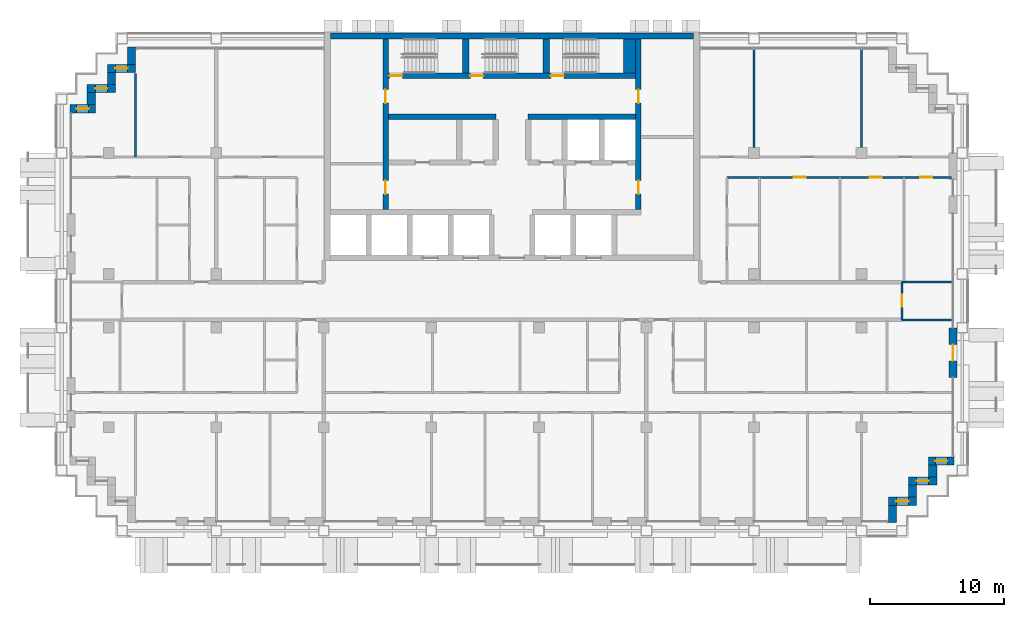
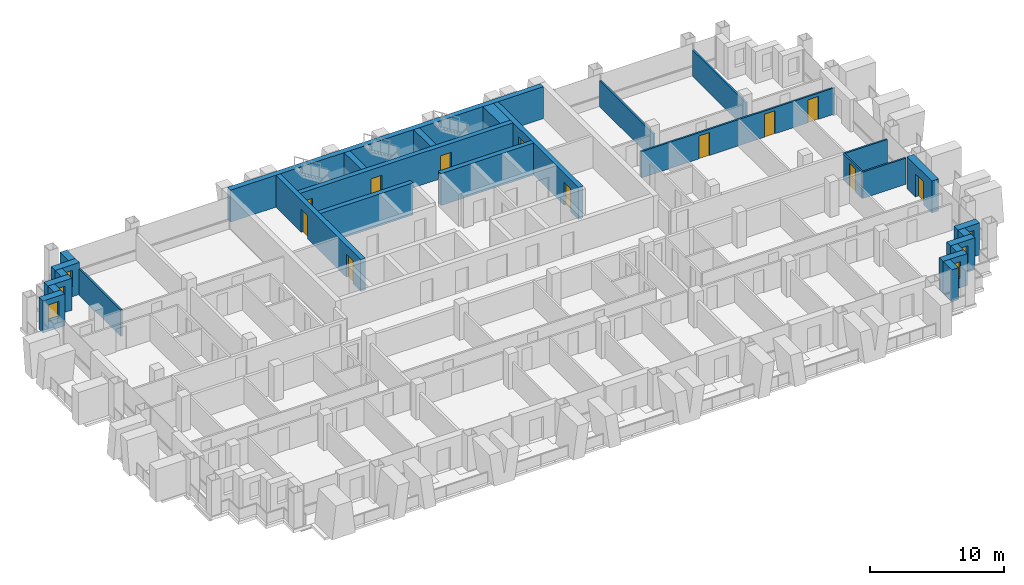
# One storey, part 11 of 17: 29 walls, 12 doors, 6 windows, 18 openings.
"""IFC4 building model written with IfcOpenShell, lengths in metres."""

from ifc_helpers import new_model, si_unit, direction, frame, frame_2d, origin, place, context, subcontext, project, spatial, rectangle, extrude, material, layer, layer_set, type_object, element, fill, save


model = new_model("IFC4")

# Units and contexts
model_context = context("Model", 3, precision=1e-05, world=origin(), true_north=direction((0.0, 1.0)))
body_context = subcontext(model_context, "Body", "Model", "MODEL_VIEW")
ifc_project = project(units=[si_unit("LENGTHUNIT", "METRE"), si_unit("AREAUNIT", "SQUARE_METRE"), si_unit("VOLUMEUNIT", "CUBIC_METRE"), si_unit("PLANEANGLEUNIT", "RADIAN"), si_unit("MASSUNIT", "GRAM", prefix="KILO")], contexts=[model_context])

# Site, building, storey
site_placement = place(None, origin())
site = spatial("IfcSite", under=ifc_project, at=site_placement, CompositionType="ELEMENT")
building_placement = place(site_placement, origin())
building = spatial("IfcBuilding", under=site, at=building_placement, Name="Vidyagriha Tower", CompositionType="ELEMENT")
storey_placement = place(building_placement, frame((0.0, 0.0, 139.0)))
storey = spatial("IfcBuildingStorey", under=building, at=storey_placement, Name="L36", CompositionType="ELEMENT", Elevation=139.0)

# Wall
ifc_material_1 = material(Name="Precast concrete C40/50 with brick facing", Category="concrete")
ifc_layer_1 = layer(ifc_material_1, 0.60009765625)
ifc_layer_set_1 = layer_set([ifc_layer_1], Name="Precast concrete C40/50 with brick facing")
wall_type_1 = type_object("IfcWallType", Name="Brick-faced precast wall 600", PredefinedType="STANDARD", material=ifc_layer_set_1)
wall_1_placement = place(storey_placement, frame((-28.300048828125, 18.8798828125, 0.0), z_axis=(0.0, 0.0, 1.0), x_axis=(0.0, -1.0, 0.0)))
element("IfcWall", 1, at=wall_1_placement, inside=storey, type_object=wall_type_1, Name="Stepped corner wall L36 R10", PredefinedType="STANDARD", context=body_context, shape_type="SweptSolid", body=[
    extrude(rectangle(XDim=1.27978515625, YDim=0.60009765625, at=frame_2d((0.639892578125, 0.0))), origin(), (0.0, 0.0, 1.0), 2.919921875),
])

# Wall, opening, window
wall_2_placement = place(storey_placement, frame((-28.0, 17.300048828125, 0.0), z_axis=(0.0, 0.0, 1.0), x_axis=(-1.0, 0.0, 0.0)))
wall_2 = element("IfcWall", 2, at=wall_2_placement, inside=storey, type_object=wall_type_1, Name="Stepped corner wall L36 R11", PredefinedType="STANDARD", context=body_context, shape_type="SweptSolid", body=[
    extrude(rectangle(XDim=2.10009765625, YDim=0.60009765625, at=frame_2d((1.050048828125, 0.0))), origin(), (0.0, 0.0, 1.0), 2.919921875),
])
opening_1_placement = place(wall_2_placement, frame((0.60009765625, 0.0, 0.89990234375)))
opening_1 = element("IfcOpeningElement", 3, at=opening_1_placement, cuts=wall_2, Name="Opening WN1", PredefinedType="OPENING", context=body_context, shape_type="SweptSolid", body=[
    extrude(rectangle(XDim=0.89990234375, YDim=1.5, at=frame_2d((0.449951171875, 0.75))), frame((0.0, 0.31005859375, 0.0), z_axis=(0.0, -1.0, 0.0), x_axis=(1.0, 0.0, 0.0)), (0.0, 0.0, 1.0), 0.6201171875),
])
ifc_material_2 = material(Name="Aluminium and glass window", Category="aluminium")
window_type = type_object("IfcWindowType", Name="Reveal window 900x1500", PartitioningType="NOTDEFINED", PredefinedType="WINDOW", material=ifc_material_2)
window_1_placement = place(opening_1_placement, origin())
window_1 = element("IfcWindow", 4, at=window_1_placement, inside=storey, type_object=window_type, Name="Reveal window L36 R11", OverallHeight=1.5, OverallWidth=0.89990234375, PartitioningType="SINGLE_PANEL", PredefinedType="WINDOW", context=body_context, shape_type="SweptSolid", body=[
    extrude(rectangle(XDim=0.89990234375, YDim=1.5, at=frame_2d((0.449951171875, 0.75))), frame((0.0, 0.030029296875, 0.0), z_axis=(0.0, -1.0, 0.0), x_axis=(1.0, 0.0, 0.0)), (0.0, 0.0, 1.0), 0.06005859375),
])
fill(opening_1, window_1)

# Wall
wall_3_placement = place(storey_placement, frame((-29.800048828125, 17.0, 0.0), z_axis=(0.0, 0.0, 1.0), x_axis=(0.0, -1.0, 0.0)))
element("IfcWall", 5, at=wall_3_placement, inside=storey, type_object=wall_type_1, Name="Stepped corner wall L36 R12", PredefinedType="STANDARD", context=body_context, shape_type="SweptSolid", body=[
    extrude(rectangle(XDim=0.89990234375, YDim=0.60009765625, at=frame_2d((0.449951171875, 0.0))), origin(), (0.0, 0.0, 1.0), 2.919921875),
])

# Wall, opening, window
wall_4_placement = place(storey_placement, frame((-29.5, 15.800048828125, 0.0), z_axis=(0.0, 0.0, 1.0), x_axis=(-1.0, 0.0, 0.0)))
wall_4 = element("IfcWall", 6, at=wall_4_placement, inside=storey, type_object=wall_type_1, Name="Stepped corner wall L36 R13", PredefinedType="STANDARD", context=body_context, shape_type="SweptSolid", body=[
    extrude(rectangle(XDim=2.10009765625, YDim=0.60009765625, at=frame_2d((1.050048828125, 0.0))), origin(), (0.0, 0.0, 1.0), 2.919921875),
])
opening_2_placement = place(wall_4_placement, frame((0.60009765625, 0.0, 0.89990234375)))
opening_2 = element("IfcOpeningElement", 7, at=opening_2_placement, cuts=wall_4, Name="Opening WN1", PredefinedType="OPENING", context=body_context, shape_type="SweptSolid", body=[
    extrude(rectangle(XDim=0.89990234375, YDim=1.5, at=frame_2d((0.449951171875, 0.75))), frame((0.0, 0.31005859375, 0.0), z_axis=(0.0, -1.0, 0.0), x_axis=(1.0, 0.0, 0.0)), (0.0, 0.0, 1.0), 0.6201171875),
])
window_2_placement = place(opening_2_placement, origin())
window_2 = element("IfcWindow", 8, at=window_2_placement, inside=storey, type_object=window_type, Name="Reveal window L36 R13", OverallHeight=1.5, OverallWidth=0.89990234375, PartitioningType="SINGLE_PANEL", PredefinedType="WINDOW", context=body_context, shape_type="SweptSolid", body=[
    extrude(rectangle(XDim=0.89990234375, YDim=1.5, at=frame_2d((0.449951171875, 0.75))), frame((0.0, 0.030029296875, 0.0), z_axis=(0.0, -1.0, 0.0), x_axis=(1.0, 0.0, 0.0)), (0.0, 0.0, 1.0), 0.06005859375),
])
fill(opening_2, window_2)

# Wall
wall_5_placement = place(storey_placement, frame((-31.300048828125, 15.5, 0.0), z_axis=(0.0, 0.0, 1.0), x_axis=(0.0, -1.0, 0.0)))
element("IfcWall", 9, at=wall_5_placement, inside=storey, type_object=wall_type_1, Name="Stepped corner wall L36 R14", PredefinedType="STANDARD", context=body_context, shape_type="SweptSolid", body=[
    extrude(rectangle(XDim=0.89990234375, YDim=0.60009765625, at=frame_2d((0.449951171875, 0.0))), origin(), (0.0, 0.0, 1.0), 2.919921875),
])

# Wall, opening, window
wall_6_placement = place(storey_placement, frame((-31.0, 14.300048828125, 0.0), z_axis=(0.0, 0.0, 1.0), x_axis=(-1.0, 0.0, 0.0)))
wall_6 = element("IfcWall", 10, at=wall_6_placement, inside=storey, type_object=wall_type_1, Name="Stepped corner wall L36 R15", PredefinedType="STANDARD", context=body_context, shape_type="SweptSolid", body=[
    extrude(rectangle(XDim=1.8798828125, YDim=0.60009765625, at=frame_2d((0.93994140625, 0.0))), origin(), (0.0, 0.0, 1.0), 2.919921875),
])
opening_3_placement = place(wall_6_placement, frame((0.489990234375, 0.0, 0.89990234375)))
opening_3 = element("IfcOpeningElement", 11, at=opening_3_placement, cuts=wall_6, Name="Opening WN1", PredefinedType="OPENING", context=body_context, shape_type="SweptSolid", body=[
    extrude(rectangle(XDim=0.89990234375, YDim=1.5, at=frame_2d((0.449951171875, 0.75))), frame((0.0, 0.31005859375, 0.0), z_axis=(0.0, -1.0, 0.0), x_axis=(1.0, 0.0, 0.0)), (0.0, 0.0, 1.0), 0.6201171875),
])
window_3_placement = place(opening_3_placement, origin())
window_3 = element("IfcWindow", 12, at=window_3_placement, inside=storey, type_object=window_type, Name="Reveal window L36 R15", OverallHeight=1.5, OverallWidth=0.89990234375, PartitioningType="SINGLE_PANEL", PredefinedType="WINDOW", context=body_context, shape_type="SweptSolid", body=[
    extrude(rectangle(XDim=0.89990234375, YDim=1.5, at=frame_2d((0.449951171875, 0.75))), frame((0.0, 0.030029296875, 0.0), z_axis=(0.0, -1.0, 0.0), x_axis=(1.0, 0.0, 0.0)), (0.0, 0.0, 1.0), 0.06005859375),
])
fill(opening_3, window_3)

# Wall
wall_7_placement = place(storey_placement, frame((28.300048828125, -16.47998046875, 0.0), z_axis=(0.0, 0.0, 1.0), x_axis=(0.0, 1.0, 0.0)))
element("IfcWall", 13, at=wall_7_placement, inside=storey, type_object=wall_type_1, Name="Stepped corner wall L36 R24", PredefinedType="STANDARD", context=body_context, shape_type="SweptSolid", body=[
    extrude(rectangle(XDim=1.280029296875, YDim=0.60009765625, at=frame_2d((0.64013671875, 0.0))), origin(), (0.0, 0.0, 1.0), 2.919921875),
])

# Wall, opening, window
wall_8_placement = place(storey_placement, frame((28.0, -14.89990234375, 0.0)))
wall_8 = element("IfcWall", 14, at=wall_8_placement, inside=storey, type_object=wall_type_1, Name="Stepped corner wall L36 R25", PredefinedType="STANDARD", context=body_context, shape_type="SweptSolid", body=[
    extrude(rectangle(XDim=2.10009765625, YDim=0.60009765625, at=frame_2d((1.050048828125, 0.0))), origin(), (0.0, 0.0, 1.0), 2.919921875),
])
opening_4_placement = place(wall_8_placement, frame((0.60009765625, 0.0, 0.89990234375)))
opening_4 = element("IfcOpeningElement", 15, at=opening_4_placement, cuts=wall_8, Name="Opening WN1", PredefinedType="OPENING", context=body_context, shape_type="SweptSolid", body=[
    extrude(rectangle(XDim=0.89990234375, YDim=1.5, at=frame_2d((0.449951171875, 0.75))), frame((0.0, 0.31005859375, 0.0), z_axis=(0.0, -1.0, 0.0), x_axis=(1.0, 0.0, 0.0)), (0.0, 0.0, 1.0), 0.6201171875),
])
window_4_placement = place(opening_4_placement, origin())
window_4 = element("IfcWindow", 16, at=window_4_placement, inside=storey, type_object=window_type, Name="Reveal window L36 R25", OverallHeight=1.5, OverallWidth=0.89990234375, PartitioningType="SINGLE_PANEL", PredefinedType="WINDOW", context=body_context, shape_type="SweptSolid", body=[
    extrude(rectangle(XDim=0.89990234375, YDim=1.5, at=frame_2d((0.449951171875, 0.75))), frame((0.0, 0.030029296875, 0.0), z_axis=(0.0, -1.0, 0.0), x_axis=(1.0, 0.0, 0.0)), (0.0, 0.0, 1.0), 0.06005859375),
])
fill(opening_4, window_4)

# Wall
wall_9_placement = place(storey_placement, frame((29.800048828125, -14.60009765625, 0.0), z_axis=(0.0, 0.0, 1.0), x_axis=(0.0, 1.0, 0.0)))
element("IfcWall", 17, at=wall_9_placement, inside=storey, type_object=wall_type_1, Name="Stepped corner wall L36 R26", PredefinedType="STANDARD", context=body_context, shape_type="SweptSolid", body=[
    extrude(rectangle(XDim=0.900146484375, YDim=0.60009765625, at=frame_2d((0.4501953125, 0.0))), origin(), (0.0, 0.0, 1.0), 2.919921875),
])

# Wall, opening, window
wall_10_placement = place(storey_placement, frame((29.5, -13.39990234375, 0.0)))
wall_10 = element("IfcWall", 18, at=wall_10_placement, inside=storey, type_object=wall_type_1, Name="Stepped corner wall L36 R27", PredefinedType="STANDARD", context=body_context, shape_type="SweptSolid", body=[
    extrude(rectangle(XDim=2.10009765625, YDim=0.60009765625, at=frame_2d((1.050048828125, 0.0))), origin(), (0.0, 0.0, 1.0), 2.919921875),
])
opening_5_placement = place(wall_10_placement, frame((0.60009765625, 0.0, 0.89990234375)))
opening_5 = element("IfcOpeningElement", 19, at=opening_5_placement, cuts=wall_10, Name="Opening WN1", PredefinedType="OPENING", context=body_context, shape_type="SweptSolid", body=[
    extrude(rectangle(XDim=0.89990234375, YDim=1.5, at=frame_2d((0.449951171875, 0.75))), frame((0.0, 0.31005859375, 0.0), z_axis=(0.0, -1.0, 0.0), x_axis=(1.0, 0.0, 0.0)), (0.0, 0.0, 1.0), 0.6201171875),
])
window_5_placement = place(opening_5_placement, origin())
window_5 = element("IfcWindow", 20, at=window_5_placement, inside=storey, type_object=window_type, Name="Reveal window L36 R27", OverallHeight=1.5, OverallWidth=0.89990234375, PartitioningType="SINGLE_PANEL", PredefinedType="WINDOW", context=body_context, shape_type="SweptSolid", body=[
    extrude(rectangle(XDim=0.89990234375, YDim=1.5, at=frame_2d((0.449951171875, 0.75))), frame((0.0, 0.030029296875, 0.0), z_axis=(0.0, -1.0, 0.0), x_axis=(1.0, 0.0, 0.0)), (0.0, 0.0, 1.0), 0.06005859375),
])
fill(opening_5, window_5)

# Wall
wall_11_placement = place(storey_placement, frame((31.300048828125, -13.10009765625, 0.0), z_axis=(0.0, 0.0, 1.0), x_axis=(0.0, 1.0, 0.0)))
element("IfcWall", 21, at=wall_11_placement, inside=storey, type_object=wall_type_1, Name="Stepped corner wall L36 R28", PredefinedType="STANDARD", context=body_context, shape_type="SweptSolid", body=[
    extrude(rectangle(XDim=0.900146484375, YDim=0.60009765625, at=frame_2d((0.4501953125, 0.0))), origin(), (0.0, 0.0, 1.0), 2.919921875),
])

# Wall, opening, window
wall_12_placement = place(storey_placement, frame((31.0, -11.89990234375, 0.0)))
wall_12 = element("IfcWall", 22, at=wall_12_placement, inside=storey, type_object=wall_type_1, Name="Stepped corner wall L36 R29", PredefinedType="STANDARD", context=body_context, shape_type="SweptSolid", body=[
    extrude(rectangle(XDim=1.8798828125, YDim=0.60009765625, at=frame_2d((0.93994140625, 0.0))), origin(), (0.0, 0.0, 1.0), 2.919921875),
])
opening_6_placement = place(wall_12_placement, frame((0.489990234375, 0.0, 0.89990234375)))
opening_6 = element("IfcOpeningElement", 23, at=opening_6_placement, cuts=wall_12, Name="Opening WN1", PredefinedType="OPENING", context=body_context, shape_type="SweptSolid", body=[
    extrude(rectangle(XDim=0.89990234375, YDim=1.5, at=frame_2d((0.449951171875, 0.75))), frame((0.0, 0.31005859375, 0.0), z_axis=(0.0, -1.0, 0.0), x_axis=(1.0, 0.0, 0.0)), (0.0, 0.0, 1.0), 0.6201171875),
])
window_6_placement = place(opening_6_placement, origin())
window_6 = element("IfcWindow", 24, at=window_6_placement, inside=storey, type_object=window_type, Name="Reveal window L36 R29", OverallHeight=1.5, OverallWidth=0.89990234375, PartitioningType="SINGLE_PANEL", PredefinedType="WINDOW", context=body_context, shape_type="SweptSolid", body=[
    extrude(rectangle(XDim=0.89990234375, YDim=1.5, at=frame_2d((0.449951171875, 0.75))), frame((0.0, 0.030029296875, 0.0), z_axis=(0.0, -1.0, 0.0), x_axis=(1.0, 0.0, 0.0)), (0.0, 0.0, 1.0), 0.06005859375),
])
fill(opening_6, window_6)

# Wall, opening, door
wall_13_placement = place(storey_placement, frame((32.800048828125, -5.699951171875, 0.0), z_axis=(0.0, 0.0, 1.0), x_axis=(0.0, 1.0, 0.0)))
wall_13 = element("IfcWall", 25, at=wall_13_placement, inside=storey, type_object=wall_type_1, Name="Brick door bay wall L36 R30.3", PredefinedType="STANDARD", context=body_context, shape_type="SweptSolid", body=[
    extrude(rectangle(XDim=3.699951171875, YDim=0.60009765625, at=frame_2d((1.85009765625, 0.0))), origin(), (0.0, 0.0, 1.0), 2.919921875),
])
opening_7_placement = place(wall_13_placement, frame((1.25, 0.0, 0.0)))
opening_7 = element("IfcOpeningElement", 26, at=opening_7_placement, cuts=wall_13, Name="Opening D36-76", PredefinedType="OPENING", context=body_context, shape_type="SweptSolid", body=[
    extrude(rectangle(XDim=1.199951171875, YDim=2.10009765625, at=frame_2d((0.60009765625, 1.050048828125))), frame((0.0, 0.31005859375, 0.0), z_axis=(0.0, -1.0, 0.0), x_axis=(1.0, 0.0, 0.0)), (0.0, 0.0, 1.0), 0.6201171875),
])
ifc_material_3 = material(Name="Aluminium framed glazed sliding door", Category="aluminium")
door_type_1 = type_object("IfcDoorType", Name="Balcony sliding door 1200x2100", OperationType="NOTDEFINED", PredefinedType="DOOR", material=ifc_material_3)
door_1_placement = place(opening_7_placement, origin())
door_1 = element("IfcDoor", 27, at=door_1_placement, inside=storey, type_object=door_type_1, Name="Door D36-76", OperationType="SLIDING_TO_LEFT", OverallHeight=2.10009765625, OverallWidth=1.199951171875, PredefinedType="DOOR", context=body_context, shape_type="SweptSolid", body=[
    extrude(rectangle(XDim=1.199951171875, YDim=2.10009765625, at=frame_2d((0.60009765625, 1.050048828125))), frame((0.0, 0.02490234375, 0.0), z_axis=(0.0, -1.0, 0.0), x_axis=(1.0, 0.0, 0.0)), (0.0, 0.0, 1.0), 0.050048828125),
])
fill(opening_7, door_1)

# Wall, openings, doors
ifc_material_4 = material(Name="Concrete C60/75", Category="concrete")
ifc_layer_2 = layer(ifc_material_4, 0.39990234375)
ifc_layer_set_2 = layer_set([ifc_layer_2], Name="Concrete C60/75")
wall_type_2 = type_object("IfcWallType", Name="Core shear wall 400 mm", PredefinedType="SHEAR", material=ifc_layer_set_2)
wall_14_placement = place(storey_placement, frame((-9.39990234375, 6.800048828125, 0.0), z_axis=(0.0, 0.0, 1.0), x_axis=(0.0, 1.0, 0.0)))
wall_14 = element("IfcWall", 28, at=wall_14_placement, inside=storey, type_object=wall_type_2, Name="Core west spine wall", PredefinedType="SHEAR", context=body_context, shape_type="SweptSolid", body=[
    extrude(rectangle(XDim=12.699951171875, YDim=0.39990234375, at=frame_2d((6.35009765625, 0.0))), origin(), (0.0, 0.0, 1.0), 2.919921875),
])
opening_8_placement = place(wall_14_placement, frame((1.14990234375, 0.0, 0.0)))
opening_8 = element("IfcOpeningElement", 29, at=opening_8_placement, cuts=wall_14, Name="Opening D36-09", PredefinedType="OPENING", context=body_context, shape_type="SweptSolid", body=[
    extrude(rectangle(XDim=1.0, YDim=2.10009765625, at=frame_2d((0.5, 1.050048828125))), frame((0.0, 0.2099609375, 0.0), z_axis=(0.0, -1.0, 0.0), x_axis=(1.0, 0.0, 0.0)), (0.0, 0.0, 1.0), 0.419921875),
])
opening_9_placement = place(wall_14_placement, frame((7.925048828125, 0.0, 0.0)))
opening_9 = element("IfcOpeningElement", 30, at=opening_9_placement, cuts=wall_14, Name="Opening D36-10", PredefinedType="OPENING", context=body_context, shape_type="SweptSolid", body=[
    extrude(rectangle(XDim=1.0, YDim=2.10009765625, at=frame_2d((0.5, 1.050048828125))), frame((0.0, 0.2099609375, 0.0), z_axis=(0.0, -1.0, 0.0), x_axis=(1.0, 0.0, 0.0)), (0.0, 0.0, 1.0), 0.419921875),
])
ifc_material_5 = material(Name="Hollow metal door leaf")
door_type_2 = type_object("IfcDoorType", Name="Core room door 1000 x 2100 mm EI 60", OperationType="NOTDEFINED", PredefinedType="DOOR", material=ifc_material_5)
door_2_placement = place(opening_8_placement, frame((1.0, 0.0, 0.0), z_axis=(0.0, 0.0, 1.0), x_axis=(-1.0, 0.0, 0.0)))
door_2 = element("IfcDoor", 31, at=door_2_placement, inside=storey, type_object=door_type_2, Name="Door Cleaners Store 36.W1", OperationType="SINGLE_SWING_RIGHT", OverallHeight=2.10009765625, OverallWidth=1.0, PredefinedType="DOOR", context=body_context, shape_type="SweptSolid", body=[
    extrude(rectangle(XDim=1.0, YDim=2.10009765625, at=frame_2d((0.5, 1.050048828125))), frame((0.0, 0.02490234375, 0.0), z_axis=(0.0, -1.0, 0.0), x_axis=(1.0, 0.0, 0.0)), (0.0, 0.0, 1.0), 0.050048828125),
])
fill(opening_8, door_2)
door_3_placement = place(opening_9_placement, frame((1.0, 0.0, 0.0), z_axis=(0.0, 0.0, 1.0), x_axis=(-1.0, 0.0, 0.0)))
door_3 = element("IfcDoor", 32, at=door_3_placement, inside=storey, type_object=door_type_2, Name="Door Pressurisation Plant Room 36.W2", OperationType="SINGLE_SWING_LEFT", OverallHeight=2.10009765625, OverallWidth=1.0, PredefinedType="DOOR", context=body_context, shape_type="SweptSolid", body=[
    extrude(rectangle(XDim=1.0, YDim=2.10009765625, at=frame_2d((0.5, 1.050048828125))), frame((0.0, 0.02490234375, 0.0), z_axis=(0.0, -1.0, 0.0), x_axis=(1.0, 0.0, 0.0)), (0.0, 0.0, 1.0), 0.050048828125),
])
fill(opening_9, door_3)

wall_15_placement = place(storey_placement, frame((9.39990234375, 6.800048828125, 0.0), z_axis=(0.0, 0.0, 1.0), x_axis=(0.0, 1.0, 0.0)))
wall_15 = element("IfcWall", 33, at=wall_15_placement, inside=storey, type_object=wall_type_2, Name="Core east spine wall", PredefinedType="SHEAR", context=body_context, shape_type="SweptSolid", body=[
    extrude(rectangle(XDim=12.699951171875, YDim=0.39990234375, at=frame_2d((6.35009765625, 0.0))), origin(), (0.0, 0.0, 1.0), 2.919921875),
])
opening_10_placement = place(wall_15_placement, frame((1.14990234375, 0.0, 0.0)))
opening_10 = element("IfcOpeningElement", 34, at=opening_10_placement, cuts=wall_15, Name="Opening D36-11", PredefinedType="OPENING", context=body_context, shape_type="SweptSolid", body=[
    extrude(rectangle(XDim=1.0, YDim=2.10009765625, at=frame_2d((0.5, 1.050048828125))), frame((0.0, 0.2099609375, 0.0), z_axis=(0.0, -1.0, 0.0), x_axis=(1.0, 0.0, 0.0)), (0.0, 0.0, 1.0), 0.419921875),
])
opening_11_placement = place(wall_15_placement, frame((7.925048828125, 0.0, 0.0)))
opening_11 = element("IfcOpeningElement", 35, at=opening_11_placement, cuts=wall_15, Name="Opening D36-12", PredefinedType="OPENING", context=body_context, shape_type="SweptSolid", body=[
    extrude(rectangle(XDim=1.0, YDim=2.10009765625, at=frame_2d((0.5, 1.050048828125))), frame((0.0, 0.2099609375, 0.0), z_axis=(0.0, -1.0, 0.0), x_axis=(1.0, 0.0, 0.0)), (0.0, 0.0, 1.0), 0.419921875),
])
door_4_placement = place(opening_10_placement, origin())
door_4 = element("IfcDoor", 36, at=door_4_placement, inside=storey, type_object=door_type_2, Name="Door Riser Room 36.E1", OperationType="SINGLE_SWING_RIGHT", OverallHeight=2.10009765625, OverallWidth=1.0, PredefinedType="DOOR", context=body_context, shape_type="SweptSolid", body=[
    extrude(rectangle(XDim=1.0, YDim=2.10009765625, at=frame_2d((0.5, 1.050048828125))), frame((0.0, 0.02490234375, 0.0), z_axis=(0.0, -1.0, 0.0), x_axis=(1.0, 0.0, 0.0)), (0.0, 0.0, 1.0), 0.050048828125),
])
fill(opening_10, door_4)
door_5_placement = place(opening_11_placement, origin())
door_5 = element("IfcDoor", 37, at=door_5_placement, inside=storey, type_object=door_type_2, Name="Door Switchgear Room 36.E2", OperationType="SINGLE_SWING_LEFT", OverallHeight=2.10009765625, OverallWidth=1.0, PredefinedType="DOOR", context=body_context, shape_type="SweptSolid", body=[
    extrude(rectangle(XDim=1.0, YDim=2.10009765625, at=frame_2d((0.5, 1.050048828125))), frame((0.0, 0.02490234375, 0.0), z_axis=(0.0, -1.0, 0.0), x_axis=(1.0, 0.0, 0.0)), (0.0, 0.0, 1.0), 0.050048828125),
])
fill(opening_11, door_5)

# Walls
for number, where, name in (
    (38, (-9.199951171875, 13.699951171875, 0.0), "Core row N rear wall"),
    (39, (1.199951171875, 13.699951171875, 0.0), "Core row N rear wall"),
):
    element("IfcWall", number, at=place(storey_placement, frame(where)), inside=storey, type_object=wall_type_2, Name=name, PredefinedType="SHEAR", context=body_context, shape_type="SweptSolid", body=[
        extrude(rectangle(XDim=8.0, YDim=0.39990234375, at=frame_2d((4.0, 0.0))), origin(), (0.0, 0.0, 1.0), 2.919921875),
    ])

# Wall, openings, doors
wall_16_placement = place(storey_placement, frame((-9.199951171875, 16.75, 0.0)))
wall_16 = element("IfcWall", 40, at=wall_16_placement, inside=storey, type_object=wall_type_2, Name="Stair front wall", PredefinedType="SHEAR", context=body_context, shape_type="SweptSolid", body=[
    extrude(rectangle(XDim=18.39990234375, YDim=0.39990234375, at=frame_2d((9.199951171875, 0.0))), origin(), (0.0, 0.0, 1.0), 2.919921875),
])
opening_12_placement = place(wall_16_placement, frame((0.10009765625, 0.0, 0.0)))
opening_12 = element("IfcOpeningElement", 41, at=opening_12_placement, cuts=wall_16, Name="Opening D36-06", PredefinedType="OPENING", context=body_context, shape_type="SweptSolid", body=[
    extrude(rectangle(XDim=0.949951171875, YDim=2.10009765625, at=frame_2d((0.47509765625, 1.050048828125))), frame((0.0, 0.2099609375, 0.0), z_axis=(0.0, -1.0, 0.0), x_axis=(1.0, 0.0, 0.0)), (0.0, 0.0, 1.0), 0.419921875),
])
opening_13_placement = place(wall_16_placement, frame((6.10009765625, 0.0, 0.0)))
opening_13 = element("IfcOpeningElement", 42, at=opening_13_placement, cuts=wall_16, Name="Opening D36-07", PredefinedType="OPENING", context=body_context, shape_type="SweptSolid", body=[
    extrude(rectangle(XDim=0.949951171875, YDim=2.10009765625, at=frame_2d((0.47509765625, 1.050048828125))), frame((0.0, 0.2099609375, 0.0), z_axis=(0.0, -1.0, 0.0), x_axis=(1.0, 0.0, 0.0)), (0.0, 0.0, 1.0), 0.419921875),
])
opening_14_placement = place(wall_16_placement, frame((12.10009765625, 0.0, 0.0)))
opening_14 = element("IfcOpeningElement", 43, at=opening_14_placement, cuts=wall_16, Name="Opening D36-08", PredefinedType="OPENING", context=body_context, shape_type="SweptSolid", body=[
    extrude(rectangle(XDim=0.949951171875, YDim=2.10009765625, at=frame_2d((0.47509765625, 1.050048828125))), frame((0.0, 0.2099609375, 0.0), z_axis=(0.0, -1.0, 0.0), x_axis=(1.0, 0.0, 0.0)), (0.0, 0.0, 1.0), 0.419921875),
])
ifc_material_6 = material(Name="Hollow metal door leaf")
door_type_3 = type_object("IfcDoorType", Name="Exit stair door 950 x 2100 mm EI 90", OperationType="NOTDEFINED", PredefinedType="DOOR", material=ifc_material_6)
door_6_placement = place(opening_12_placement, origin())
door_6 = element("IfcDoor", 44, at=door_6_placement, inside=storey, type_object=door_type_3, Name="Stair door ST1 L36", OperationType="SINGLE_SWING_LEFT", OverallHeight=2.10009765625, OverallWidth=0.949951171875, PredefinedType="DOOR", context=body_context, shape_type="SweptSolid", body=[
    extrude(rectangle(XDim=0.949951171875, YDim=2.10009765625, at=frame_2d((0.47509765625, 1.050048828125))), frame((0.0, 0.02490234375, 0.0), z_axis=(0.0, -1.0, 0.0), x_axis=(1.0, 0.0, 0.0)), (0.0, 0.0, 1.0), 0.050048828125),
])
fill(opening_12, door_6)
door_7_placement = place(opening_13_placement, origin())
door_7 = element("IfcDoor", 45, at=door_7_placement, inside=storey, type_object=door_type_3, Name="Stair door ST2 L36", OperationType="SINGLE_SWING_LEFT", OverallHeight=2.10009765625, OverallWidth=0.949951171875, PredefinedType="DOOR", context=body_context, shape_type="SweptSolid", body=[
    extrude(rectangle(XDim=0.949951171875, YDim=2.10009765625, at=frame_2d((0.47509765625, 1.050048828125))), frame((0.0, 0.02490234375, 0.0), z_axis=(0.0, -1.0, 0.0), x_axis=(1.0, 0.0, 0.0)), (0.0, 0.0, 1.0), 0.050048828125),
])
fill(opening_13, door_7)
door_8_placement = place(opening_14_placement, origin())
door_8 = element("IfcDoor", 46, at=door_8_placement, inside=storey, type_object=door_type_3, Name="Stair door ST3 L36", OperationType="SINGLE_SWING_LEFT", OverallHeight=2.10009765625, OverallWidth=0.949951171875, PredefinedType="DOOR", context=body_context, shape_type="SweptSolid", body=[
    extrude(rectangle(XDim=0.949951171875, YDim=2.10009765625, at=frame_2d((0.47509765625, 1.050048828125))), frame((0.0, 0.02490234375, 0.0), z_axis=(0.0, -1.0, 0.0), x_axis=(1.0, 0.0, 0.0)), (0.0, 0.0, 1.0), 0.050048828125),
])
fill(opening_14, door_8)

# Walls
ifc_material_7 = material(Name="Concrete C60/75", Category="concrete")
ifc_layer_3 = layer(ifc_material_7, 0.449951171875)
ifc_layer_set_3 = layer_set([ifc_layer_3], Name="Concrete C60/75")
wall_type_3 = type_object("IfcWallType", Name="Core shear wall 450 mm", PredefinedType="SHEAR", material=ifc_layer_set_3)
wall_17_placement = place(storey_placement, frame((-13.5, 19.72509765625, 0.0)))
element("IfcWall", 47, at=wall_17_placement, inside=storey, type_object=wall_type_3, Name="Core north wall", PredefinedType="SHEAR", context=body_context, shape_type="SweptSolid", body=[
    extrude(rectangle(XDim=27.0, YDim=0.449951171875, at=frame_2d((13.5, 0.0))), origin(), (0.0, 0.0, 1.0), 2.919921875),
])
ifc_material_8 = material(Name="Concrete C60/75", Category="concrete")
ifc_layer_4 = layer(ifc_material_8, 0.5)
ifc_layer_set_4 = layer_set([ifc_layer_4], Name="Concrete C60/75")
wall_type_4 = type_object("IfcWallType", Name="Core shear wall 500 mm", PredefinedType="SHEAR", material=ifc_layer_set_4)
for number, where, z_axis, x_axis, name in (
    (48, (-3.449951171875, 16.949951171875, 0.0), (0.0, 0.0, 1.0), (0.0, 1.0, 0.0), "Stair partition wall 1"),
    (49, (2.550048828125, 16.949951171875, 0.0), (0.0, 0.0, 1.0), (0.0, 1.0, 0.0), "Stair partition wall 2"),
):
    element("IfcWall", number, at=place(storey_placement, frame(where, z_axis=z_axis, x_axis=x_axis)), inside=storey, type_object=wall_type_4, Name=name, PredefinedType="SHEAR", context=body_context, shape_type="SweptSolid", body=[
        extrude(rectangle(XDim=2.550048828125, YDim=0.5, at=frame_2d((1.27490234375, 0.0))), origin(), (0.0, 0.0, 1.0), 2.919921875),
    ])
ifc_material_9 = material(Name="Concrete C60/75", Category="concrete")
ifc_layer_5 = layer(ifc_material_9, 0.89990234375)
ifc_layer_set_5 = layer_set([ifc_layer_5], Name="Concrete C60/75")
wall_type_5 = type_object("IfcWallType", Name="Core shear wall 900 mm", PredefinedType="SHEAR", material=ifc_layer_set_5)
wall_18_placement = place(storey_placement, frame((8.75, 16.949951171875, 0.0), z_axis=(0.0, 0.0, 1.0), x_axis=(0.0, 1.0, 0.0)))
element("IfcWall", 50, at=wall_18_placement, inside=storey, type_object=wall_type_5, Name="Stair end wall", PredefinedType="SHEAR", context=body_context, shape_type="SweptSolid", body=[
    extrude(rectangle(XDim=2.550048828125, YDim=0.89990234375, at=frame_2d((1.27490234375, 0.0))), origin(), (0.0, 0.0, 1.0), 2.919921875),
])
ifc_material_10 = material(Name="Gypsum board partition")
ifc_layer_6 = layer(ifc_material_10, 0.14990234375)
ifc_layer_set_6 = layer_set([ifc_layer_6], Name="Gypsum board partition")
wall_type_6 = type_object("IfcWallType", Name="Gypsum board partition 150", PredefinedType="PARTITIONING", material=ifc_layer_set_6)
wall_19_placement = place(storey_placement, frame((32.719970703125, -1.39990234375, 0.0), z_axis=(0.0, 0.0, 1.0), x_axis=(-1.0, 0.0, 0.0)))
element("IfcWall", 51, at=wall_19_placement, inside=storey, type_object=wall_type_6, Name="Wall all-L36-w070", PredefinedType="PARTITIONING", context=body_context, shape_type="SweptSolid", body=[
    extrude(rectangle(XDim=3.719970703125, YDim=0.14990234375, at=frame_2d((1.85986328125, 0.0))), origin(), (0.0, 0.0, 1.0), 2.39990234375),
])
wall_20_placement = place(storey_placement, frame((-28.0, 16.919921875, 0.0), z_axis=(0.0, 0.0, 1.0), x_axis=(0.0, -1.0, 0.0)))
element("IfcWall", 52, at=wall_20_placement, inside=storey, type_object=wall_type_6, Name="Wall all-L36-w081", PredefinedType="PARTITIONING", context=body_context, shape_type="SweptSolid", body=[
    extrude(rectangle(XDim=6.219970703125, YDim=0.14990234375, at=frame_2d((3.10986328125, 0.0))), origin(), (0.0, 0.0, 1.0), 2.39990234375),
])

# Wall, openings, doors
wall_21_placement = place(storey_placement, frame((32.7099609375, 9.199951171875, 0.0), z_axis=(0.0, 0.0, 1.0), x_axis=(-1.0, 0.0, 0.0)))
wall_21 = element("IfcWall", 53, at=wall_21_placement, inside=storey, type_object=wall_type_6, Name="Wall all-L36-w103", PredefinedType="PARTITIONING", context=body_context, shape_type="SweptSolid", body=[
    extrude(rectangle(XDim=16.7099609375, YDim=0.14990234375, at=frame_2d((8.35498046875, 0.0))), origin(), (0.0, 0.0, 1.0), 2.39990234375),
])
opening_15_placement = place(wall_21_placement, frame((10.860107421875, 0.0, 0.0)))
opening_15 = element("IfcOpeningElement", 54, at=opening_15_placement, cuts=wall_21, Name="Opening D36-58", PredefinedType="OPENING", context=body_context, shape_type="SweptSolid", body=[
    extrude(rectangle(XDim=0.89990234375, YDim=2.10009765625, at=frame_2d((0.449951171875, 1.050048828125))), frame((0.0, 0.0849609375, 0.0), z_axis=(0.0, -1.0, 0.0), x_axis=(1.0, 0.0, 0.0)), (0.0, 0.0, 1.0), 0.169921875),
])
opening_16_placement = place(wall_21_placement, frame((5.19189453125, 0.0, 0.0)))
opening_16 = element("IfcOpeningElement", 55, at=opening_16_placement, cuts=wall_21, Name="Opening D36-59", PredefinedType="OPENING", context=body_context, shape_type="SweptSolid", body=[
    extrude(rectangle(XDim=0.89990234375, YDim=2.10009765625, at=frame_2d((0.449951171875, 1.050048828125))), frame((0.0, 0.0849609375, 0.0), z_axis=(0.0, -1.0, 0.0), x_axis=(1.0, 0.0, 0.0)), (0.0, 0.0, 1.0), 0.169921875),
])
opening_17_placement = place(wall_21_placement, frame((1.43505859375, 0.0, 0.0)))
opening_17 = element("IfcOpeningElement", 56, at=opening_17_placement, cuts=wall_21, Name="Opening D36-60", PredefinedType="OPENING", context=body_context, shape_type="SweptSolid", body=[
    extrude(rectangle(XDim=0.89990234375, YDim=2.10009765625, at=frame_2d((0.449951171875, 1.050048828125))), frame((0.0, 0.0849609375, 0.0), z_axis=(0.0, -1.0, 0.0), x_axis=(1.0, 0.0, 0.0)), (0.0, 0.0, 1.0), 0.169921875),
])
ifc_material_11 = material(Name="Timber door leaf", Category="wood")
door_type_4 = type_object("IfcDoorType", Name="Room door 900x2100", OperationType="NOTDEFINED", PredefinedType="DOOR", material=ifc_material_11)
door_9_placement = place(opening_15_placement, origin())
door_9 = element("IfcDoor", 57, at=door_9_placement, inside=storey, type_object=door_type_4, Name="Door D36-58", OperationType="SINGLE_SWING_RIGHT", OverallHeight=2.10009765625, OverallWidth=0.89990234375, PredefinedType="DOOR", context=body_context, shape_type="SweptSolid", body=[
    extrude(rectangle(XDim=0.89990234375, YDim=2.10009765625, at=frame_2d((0.449951171875, 1.050048828125))), frame((0.0, 0.02490234375, 0.0), z_axis=(0.0, -1.0, 0.0), x_axis=(1.0, 0.0, 0.0)), (0.0, 0.0, 1.0), 0.050048828125),
])
fill(opening_15, door_9)
door_10_placement = place(opening_16_placement, origin())
door_10 = element("IfcDoor", 58, at=door_10_placement, inside=storey, type_object=door_type_4, Name="Door D36-59", OperationType="SINGLE_SWING_LEFT", OverallHeight=2.10009765625, OverallWidth=0.89990234375, PredefinedType="DOOR", context=body_context, shape_type="SweptSolid", body=[
    extrude(rectangle(XDim=0.89990234375, YDim=2.10009765625, at=frame_2d((0.449951171875, 1.050048828125))), frame((0.0, 0.02490234375, 0.0), z_axis=(0.0, -1.0, 0.0), x_axis=(1.0, 0.0, 0.0)), (0.0, 0.0, 1.0), 0.050048828125),
])
fill(opening_16, door_10)
door_11_placement = place(opening_17_placement, origin())
door_11 = element("IfcDoor", 59, at=door_11_placement, inside=storey, type_object=door_type_4, Name="Door D36-60", OperationType="SINGLE_SWING_RIGHT", OverallHeight=2.10009765625, OverallWidth=0.89990234375, PredefinedType="DOOR", context=body_context, shape_type="SweptSolid", body=[
    extrude(rectangle(XDim=0.89990234375, YDim=2.10009765625, at=frame_2d((0.449951171875, 1.050048828125))), frame((0.0, 0.02490234375, 0.0), z_axis=(0.0, -1.0, 0.0), x_axis=(1.0, 0.0, 0.0)), (0.0, 0.0, 1.0), 0.050048828125),
])
fill(opening_17, door_11)

# Walls
for number, where, z_axis, x_axis, name in (
    (60, (18.0, 18.720947265625, 0.0), (0.0, 0.0, 1.0), (0.0, -1.0, 0.0), "Wall all-L36-w111"),
    (61, (26.0, 18.720947265625, 0.0), (0.0, 0.0, 1.0), (0.0, -1.0, 0.0), "Wall all-L36-w112"),
):
    element("IfcWall", number, at=place(storey_placement, frame(where, z_axis=z_axis, x_axis=x_axis)), inside=storey, type_object=wall_type_6, Name=name, PredefinedType="PARTITIONING", context=body_context, shape_type="SweptSolid", body=[
        extrude(rectangle(XDim=8.02099609375, YDim=0.14990234375, at=frame_2d((4.010498046875, 0.0))), origin(), (0.0, 0.0, 1.0), 2.39990234375),
    ])
wall_22_placement = place(storey_placement, frame((29.0, 1.39990234375, 0.0)))
element("IfcWall", 62, at=wall_22_placement, inside=storey, type_object=wall_type_6, Name="Wall all-L36-w115", PredefinedType="PARTITIONING", context=body_context, shape_type="SweptSolid", body=[
    extrude(rectangle(XDim=3.719970703125, YDim=0.14990234375, at=frame_2d((1.85986328125, 0.0))), origin(), (0.0, 0.0, 1.0), 2.39990234375),
])

# Wall, opening, door
wall_23_placement = place(storey_placement, frame((29.0, -1.39990234375, 0.0), z_axis=(0.0, 0.0, 1.0), x_axis=(0.0, 1.0, 0.0)))
wall_23 = element("IfcWall", 63, at=wall_23_placement, inside=storey, type_object=wall_type_6, Name="Wall all-L36-w118", PredefinedType="PARTITIONING", context=body_context, shape_type="SweptSolid", body=[
    extrude(rectangle(XDim=2.7998046875, YDim=0.14990234375, at=frame_2d((1.39990234375, 0.0))), origin(), (0.0, 0.0, 1.0), 2.39990234375),
])
opening_18_placement = place(wall_23_placement, frame((0.949951171875, 0.0, 0.0)))
opening_18 = element("IfcOpeningElement", 64, at=opening_18_placement, cuts=wall_23, Name="Opening D36-66", PredefinedType="OPENING", context=body_context, shape_type="SweptSolid", body=[
    extrude(rectangle(XDim=0.89990234375, YDim=2.10009765625, at=frame_2d((0.449951171875, 1.050048828125))), frame((0.0, 0.0849609375, 0.0), z_axis=(0.0, -1.0, 0.0), x_axis=(1.0, 0.0, 0.0)), (0.0, 0.0, 1.0), 0.169921875),
])
door_12_placement = place(opening_18_placement, origin())
door_12 = element("IfcDoor", 65, at=door_12_placement, inside=storey, type_object=door_type_4, Name="Door D36-66", OperationType="SINGLE_SWING_RIGHT", OverallHeight=2.10009765625, OverallWidth=0.89990234375, PredefinedType="DOOR", context=body_context, shape_type="SweptSolid", body=[
    extrude(rectangle(XDim=0.89990234375, YDim=2.10009765625, at=frame_2d((0.449951171875, 1.050048828125))), frame((0.0, 0.02490234375, 0.0), z_axis=(0.0, -1.0, 0.0), x_axis=(1.0, 0.0, 0.0)), (0.0, 0.0, 1.0), 0.050048828125),
])
fill(opening_18, door_12)

save(model, "model.ifc")
